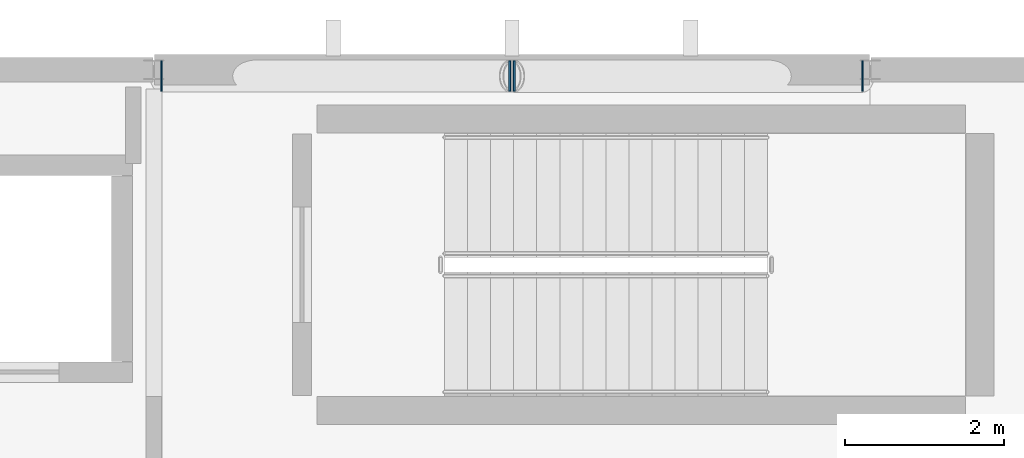
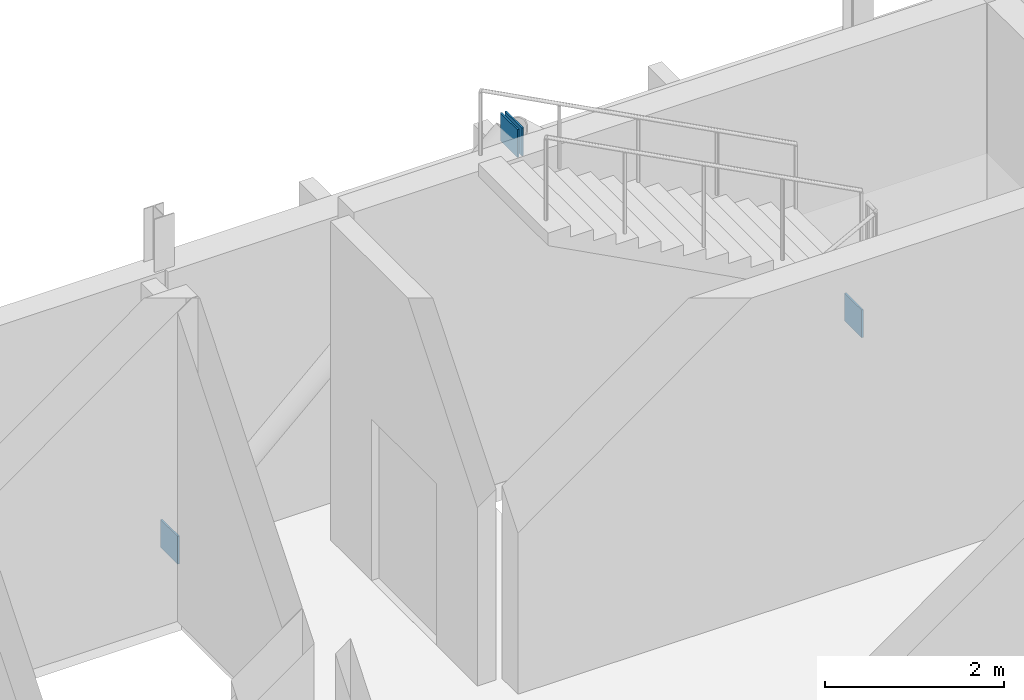
# One storey, part 27 of 37: 4 plates.
"""IFC4 building model written with IfcOpenShell, lengths in metres."""

import ifcopenshell
import ifcopenshell.guid

model = None  # the IFC model being written
_history = None  # IfcOwnerHistory: only IFC2X3 demands one
_inside = {}  # id of a spatial element -> (the spatial element, [elements in it])
_under = {}  # id of a project, library or spatial element -> (it, [spatial elements below it])
_declared = {}  # id of a project -> (the project, [libraries it declares])
_typed = {}  # id of a type object -> (the type object, [elements of that type])
_made_of = {}  # id of a material, layer set ... -> (it, [elements and type objects made of it])


def new_model(schema):
    """Start an empty IFC model of exactly this schema.

    Asked for "IFC4X3", IfcOpenShell would pick the latest addendum, in which some entities
    have other attributes; the version numbers below select the first issue.
    IFC2X3 requires an IfcOwnerHistory on every rooted entity: one is made here for all.
    """
    global model, _history
    if schema == "IFC4X3":
        model = ifcopenshell.file(schema_version=(4, 3, 0, 0))
    else:
        model = ifcopenshell.file(schema=schema)
    _inside.clear()
    _under.clear()
    _declared.clear()
    _typed.clear()
    _made_of.clear()
    _history = None
    if model.schema == "IFC2X3":
        org = make("IfcOrganization", Name="unknown")
        user = make(
            "IfcPersonAndOrganization",
            ThePerson=make("IfcPerson", FamilyName="unknown"),
            TheOrganization=org,
        )
        app = make(
            "IfcApplication",
            ApplicationDeveloper=org,
            Version="unknown",
            ApplicationFullName="unknown",
            ApplicationIdentifier="unknown",
        )
        _history = make(
            "IfcOwnerHistory",
            OwningUser=user,
            OwningApplication=app,
            ChangeAction="ADDED",
            CreationDate=0,
        )
    return model


def make(cls, **values):
    """One entity of the class cls with the attributes given. An attribute that is None is left unset."""
    return model.create_entity(
        cls, **{name: value for name, value in values.items() if value is not None}
    )


def rooted(cls, **values):
    """An entity with a GlobalId (a new one), such as an element, a storey or a relation."""
    return make(cls, GlobalId=ifcopenshell.guid.new(), OwnerHistory=_history, **values)


def si_unit(unit_type, name, prefix=None):
    """IfcSIUnit, for example si_unit("LENGTHUNIT", "METRE", prefix="MILLI")."""
    return make("IfcSIUnit", UnitType=unit_type, Prefix=prefix, Name=name)


def assignment(units):
    """IfcUnitAssignment: the units of a project."""
    return None if units is None else make("IfcUnitAssignment", Units=units)


def point(xyz):
    """IfcCartesianPoint."""
    return None if xyz is None else make("IfcCartesianPoint", Coordinates=xyz)


def direction(xyz):
    """IfcDirection."""
    return None if xyz is None else make("IfcDirection", DirectionRatios=xyz)


def frame(location, z_axis=None, x_axis=None):
    """IfcAxis2Placement3D, a coordinate frame: its origin and axes. An axis left out is left unset."""
    return make(
        "IfcAxis2Placement3D",
        Location=point(location),
        Axis=direction(z_axis),
        RefDirection=direction(x_axis),
    )


def frame_2d(location, x_axis=None):
    """IfcAxis2Placement2D, a coordinate frame in the plane: its origin and x axis."""
    return make(
        "IfcAxis2Placement2D", Location=point(location), RefDirection=direction(x_axis)
    )


def origin():
    """The frame at (0, 0, 0) with its axes left unset."""
    return frame((0.0, 0.0, 0.0))


def origin_2d():
    """The frame at (0, 0) in the plane with its x axis left unset."""
    return frame_2d((0.0, 0.0))


def place(relative_to, where):
    """IfcLocalPlacement: puts the frame where relative to a parent placement (None: the world)."""
    return make(
        "IfcLocalPlacement", PlacementRelTo=relative_to, RelativePlacement=where
    )


def context(
    kind, dimensions, precision=None, world=None, true_north=None, identifier=None
):
    """IfcGeometricRepresentationContext, for example the 3D "Model" context."""
    return make(
        "IfcGeometricRepresentationContext",
        ContextIdentifier=identifier,
        ContextType=kind,
        CoordinateSpaceDimension=dimensions,
        Precision=precision,
        WorldCoordinateSystem=world,
        TrueNorth=true_north,
    )


def subcontext(parent, identifier, kind, view, scale=None):
    """IfcGeometricRepresentationSubContext, for example "Body" below "Model"."""
    return make(
        "IfcGeometricRepresentationSubContext",
        ContextIdentifier=identifier,
        ContextType=kind,
        ParentContext=parent,
        TargetScale=scale,
        TargetView=view,
    )


def project(units=None, contexts=None):
    """IfcProject with its units and contexts."""
    return rooted(
        "IfcProject",
        Name="project",
        RepresentationContexts=contexts,
        UnitsInContext=assignment(units),
    )


def spatial(cls, under=None, at=None, **own):
    """A site, building, storey or space (cls), placed at a placement, below another one or the project."""
    s = rooted(cls, ObjectPlacement=at, **own)
    if under is not None:
        _under.setdefault(under.id(), (under, []))[1].append(s)
    return s


def profile(cls, at=None, kind="AREA", **sizes):
    """A parametric profile (cls). Its sizes go by their IFC names, for example OverallWidth=200.0."""
    return make(cls, ProfileType=kind, Position=at, **sizes)


def rectangle(**sizes):
    """IfcRectangleProfileDef."""
    return profile("IfcRectangleProfileDef", **sizes)


def extrude(swept, where, along, depth):
    """IfcExtrudedAreaSolid: the profile swept, set in the frame where, extruded along a direction by depth."""
    return make(
        "IfcExtrudedAreaSolid",
        SweptArea=swept,
        Position=where,
        ExtrudedDirection=direction(along),
        Depth=depth,
    )


def shape(context_of_items, identifier, shape_type, items):
    """IfcShapeRepresentation: the items that make up one representation, for example the "Body"."""
    return make(
        "IfcShapeRepresentation",
        ContextOfItems=context_of_items,
        RepresentationIdentifier=identifier,
        RepresentationType=shape_type,
        Items=items,
    )


def material(Name=None, Category=None):
    """IfcMaterial."""
    return make("IfcMaterial", Name=Name, Category=Category)


def layer(
    of_material, thickness, ventilated=None, Name=None, Category=None, Priority=None
):
    """IfcMaterialLayer: one layer of a wall or slab, of a material (None: an air gap)."""
    return make(
        "IfcMaterialLayer",
        Material=of_material,
        LayerThickness=thickness,
        IsVentilated=ventilated,
        Name=Name,
        Category=Category,
        Priority=Priority,
    )


def layer_set(layers, Name=None):
    """IfcMaterialLayerSet."""
    return make("IfcMaterialLayerSet", MaterialLayers=layers, LayerSetName=Name)


def made_of(thing, what):
    """Note that an element or type object is made of a material, layer set ...; save() writes the relation."""
    if what is not None:
        _made_of.setdefault(what.id(), (what, []))[1].append(thing)
    return thing


def type_object(cls, material=None, **own):
    """A type object (cls), such as IfcWallType, which elements share."""
    return made_of(rooted(cls, **own), material)


def element(
    cls,
    number,
    at=None,
    inside=None,
    cuts=None,
    type_object=None,
    material=None,
    context=None,
    identifier="Body",
    shape_type=None,
    held_by="IfcProductDefinitionShape",
    body=None,
    shapes=None,
    **own,
):
    """One element of the class cls, such as IfcWall. Its Tag is "e" and its number.

    at: its placement. inside: the storey or other place that contains it. cuts: it is an
    opening in that element (IfcRelVoidsElement). A single representation is given by context,
    identifier, shape_type and body (its items); several are given by shapes. held_by: the class
    of the entity that holds the representations. save() writes the other relations.
    """
    e = rooted(cls, Tag="e%d" % number, ObjectPlacement=at, **own)
    if body is not None:
        shapes = [shape(context, identifier, shape_type, body)]
    if shapes is not None:
        e.Representation = make(held_by, Representations=shapes)
    if inside is not None:
        _inside.setdefault(inside.id(), (inside, []))[1].append(e)
    if cuts is not None:
        rooted(
            "IfcRelVoidsElement", RelatingBuildingElement=cuts, RelatedOpeningElement=e
        )
    if type_object is not None:
        _typed.setdefault(type_object.id(), (type_object, []))[1].append(e)
    return made_of(e, material)


def aggregate(whole, parts):
    """IfcRelAggregates: a whole, such as a stair, and the parts it consists of."""
    return rooted("IfcRelAggregates", RelatingObject=whole, RelatedObjects=parts)


def save(model, path):
    """Write the relations noted so far, then the file.

    IfcRelAggregates (storeys below a building ...), IfcRelContainedInSpatialStructure (elements
    in a storey), IfcRelDefinesByType, IfcRelAssociatesMaterial and IfcRelDeclares: one each for
    every whole, place, type object, material and project.
    """
    for whole, parts in _under.values():
        aggregate(whole, parts)
    for where, things in _inside.values():
        rooted(
            "IfcRelContainedInSpatialStructure",
            RelatedElements=things,
            RelatingStructure=where,
        )
    for kind, things in _typed.values():
        rooted("IfcRelDefinesByType", RelatedObjects=things, RelatingType=kind)
    for what, things in _made_of.values():
        rooted("IfcRelAssociatesMaterial", RelatedObjects=things, RelatingMaterial=what)
    for by, libraries in _declared.values():
        rooted("IfcRelDeclares", RelatingContext=by, RelatedDefinitions=libraries)
    model.write(path)


model = new_model("IFC4")

# Units and contexts
model_context = context("Model", 3, precision=1e-05, world=origin(), true_north=direction((0.0, 1.0)))
body_context = subcontext(model_context, "Body", "Model", "MODEL_VIEW")
ifc_project = project(units=[si_unit("LENGTHUNIT", "METRE"), si_unit("AREAUNIT", "SQUARE_METRE"), si_unit("VOLUMEUNIT", "CUBIC_METRE"), si_unit("PLANEANGLEUNIT", "RADIAN"), si_unit("MASSUNIT", "GRAM", prefix="KILO")], contexts=[model_context])

# Site, building, storey
site_placement = place(None, origin())
site = spatial("IfcSite", under=ifc_project, at=site_placement, CompositionType="ELEMENT")
building_placement = place(site_placement, origin())
building = spatial("IfcBuilding", under=site, at=building_placement, Name="Shengluoqiao Park Theatre", CompositionType="ELEMENT")
storey_placement = place(building_placement, frame((0.0, 0.0, 19.199951171875)))
storey = spatial("IfcBuildingStorey", under=building, at=storey_placement, Name="L04", CompositionType="ELEMENT", Elevation=19.199951171875)

# Plates
ifc_material = material(Name="Steel Q390", Category="steel")
ifc_layer = layer(ifc_material, 0.02392578125, Name="Steel Q390")
ifc_layer_set = layer_set([ifc_layer], Name="Steel Q390")
plate_type = type_object("IfcPlateType", Name="STR-PLT-EC-360", PredefinedType="SHEET", material=ifc_layer_set)
for number, where, z_axis, x_axis, name in (
    (1, (130.49658203125, 113.919921875, -0.081787109375), (0.0, 0.0, 1.0), (1.0, 0.0, 0.0), "Hollow Tube End Cap Plate 00160"),
    (2, (134.870849609375, 113.919921875, 3.924072265625), (0.0, 0.0, 1.0), (1.0, 0.0, 0.0), "Hollow Tube End Cap Plate 00161"),
    (3, (139.303466796875, 113.919921875, -0.081787109375), (0.0, 0.0, 1.0), (-1.0, 0.0, 0.0), "Hollow Tube End Cap Plate 00162"),
    (4, (134.92919921875, 113.919921875, 3.924072265625), (0.0, 0.0, 1.0), (-1.0, 0.0, 0.0), "Hollow Tube End Cap Plate 00163"),
):
    element("IfcPlate", number, at=place(storey_placement, frame(where, z_axis=z_axis, x_axis=x_axis)), inside=storey, type_object=plate_type, Name=name, PredefinedType="SHEET", context=body_context, shape_type="SweptSolid", body=[
        extrude(rectangle(XDim=0.02392578125, YDim=0.3798828125, at=origin_2d()), origin(), (0.0, 0.0, 1.0), 0.3798828125),
    ])

save(model, "model.ifc")
